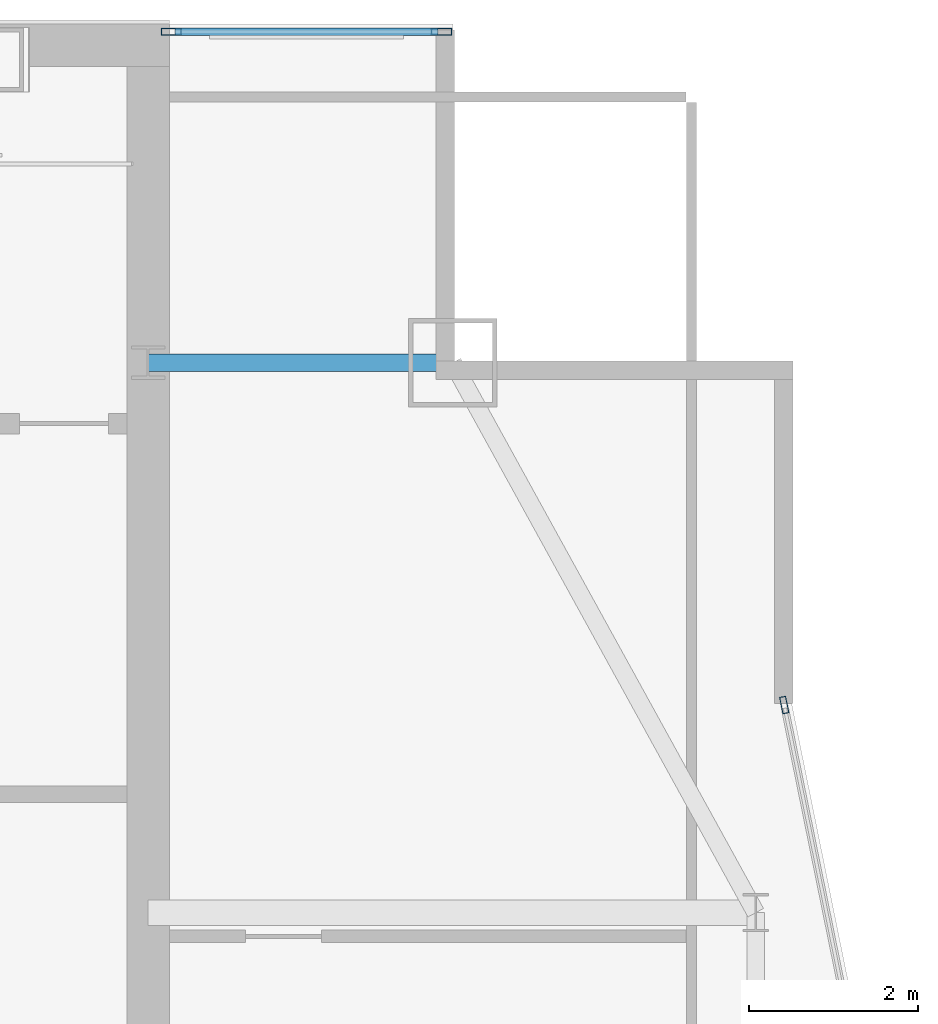
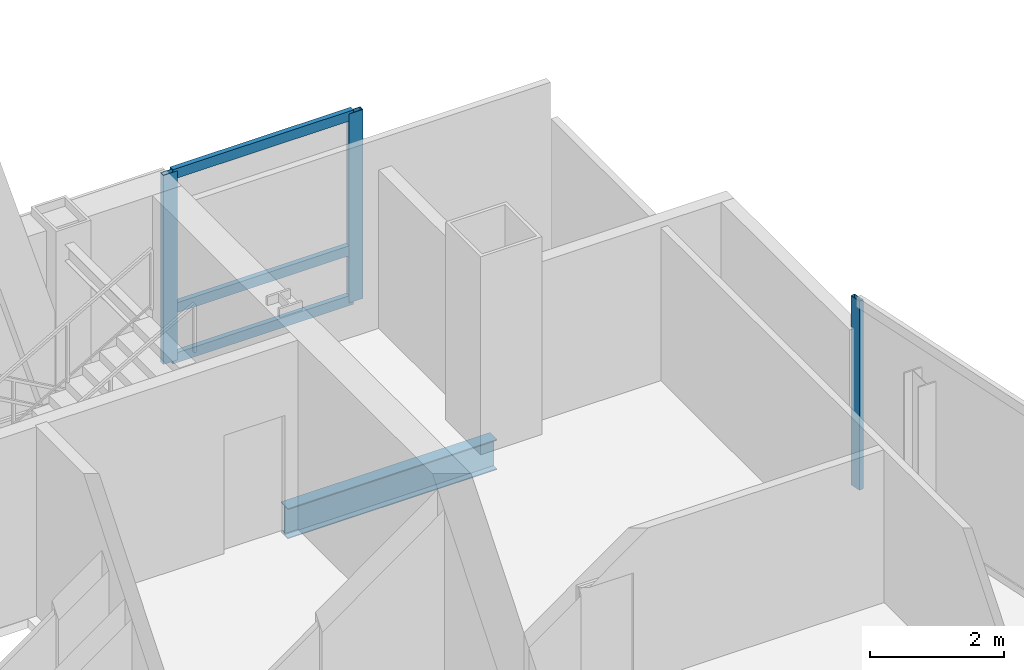
# One storey, part 24 of 31: 6 members, 1 beam, 2 elements without a shape of their own.
"""IFC4 building model written with IfcOpenShell, lengths in metres."""

from ifc_helpers import new_model, si_unit, direction, frame, origin, origin_2d, place, context, subcontext, project, spatial, hollow_rectangle, i_section, extrude, material, material_profile, profile_set, type_object, element, aggregate, save


model = new_model("IFC4")

# Units and contexts
model_context = context("Model", 3, precision=1e-05, world=origin(), true_north=direction((0.0, 1.0)))
body_context = subcontext(model_context, "Body", "Model", "MODEL_VIEW")
ifc_project = project(units=[si_unit("LENGTHUNIT", "METRE"), si_unit("AREAUNIT", "SQUARE_METRE"), si_unit("VOLUMEUNIT", "CUBIC_METRE"), si_unit("PLANEANGLEUNIT", "RADIAN"), si_unit("MASSUNIT", "GRAM", prefix="KILO")], contexts=[model_context])

# Site, building, storey
site_placement = place(None, origin())
site = spatial("IfcSite", under=ifc_project, at=site_placement, CompositionType="ELEMENT")
building_placement = place(site_placement, origin())
building = spatial("IfcBuilding", under=site, at=building_placement, Name="Khoronbel Lancet Exchange", CompositionType="ELEMENT")
storey_placement = place(building_placement, frame((0.0, 0.0, 273.39990234375)))
storey = spatial("IfcBuildingStorey", under=building, at=storey_placement, Name="L70", CompositionType="ELEMENT", Elevation=273.39990234375)

# Beam
ifc_material_1 = material(Name="Steel S355", Category="steel")
ifc_material_profile_1 = material_profile(ifc_material_1, i_section(OverallWidth=0.2099609375, OverallDepth=0.550048828125, WebThickness=0.010986328125, FlangeThickness=0.01708984375, at=origin_2d()), Name="IPE 550")
ifc_profile_set_1 = profile_set([ifc_material_profile_1], Name="Steel S355")
beam_type = type_object("IfcBeamType", Name="BM-BSP3", PredefinedType="SPANDREL", material=ifc_profile_set_1)
beam_placement = place(storey_placement, frame((60.050048828125, 49.699951171875, -0.434814453125), z_axis=(-1.0, 0.0, 0.0), x_axis=(0.0, -1.0, 0.0)))
element("IfcBeam", 1, at=beam_placement, inside=storey, type_object=beam_type, Name="Level L70 north flank tie spandrel SP23", PredefinedType="SPANDREL", context=body_context, shape_type="SweptSolid", body=[
    extrude(i_section(OverallWidth=0.2099609375, OverallDepth=0.550048828125, WebThickness=0.010986328125, FlangeThickness=0.01708984375, at=origin_2d()), origin(), (0.0, 0.0, 1.0), 3.60009765625),
])

# Curtain wall, members
ifc_material_2 = material(Name="Low-E Solar Control Insulating Glass", Category="glass")
curtain_wall_type_1 = type_object("IfcCurtainWallType", Name="CW-3", PredefinedType="NOTDEFINED", material=ifc_material_2)
curtain_wall_1_placement = place(storey_placement, origin())
curtain_wall_1 = element("IfcCurtainWall", 2, at=curtain_wall_1_placement, inside=storey, type_object=curtain_wall_type_1, Name="Unitised curtain wall CW-L70-NEFLK", PredefinedType="NOTDEFINED")
ifc_material_3 = material(Name="Bronze-Anodised Aluminium 6063-T6", Category="aluminium")
ifc_material_profile_2 = material_profile(ifc_material_3, hollow_rectangle(XDim=0.0849609375, YDim=0.239990234375, WallThickness=0.006103515625, at=origin_2d()), Name="ALU MULLION 85x240")
ifc_profile_set_2 = profile_set([ifc_material_profile_2], Name="Bronze-Anodised Aluminium 6063-T6")
member_type_1 = type_object("IfcMemberType", Name="MEM-CWM1", PredefinedType="MULLION", material=ifc_profile_set_2)
member_1_placement = place(storey_placement, frame((59.91748046875, 53.610107421875, 0.0), z_axis=(0.0, 0.0, 1.0), x_axis=(0.0, -1.0, 0.0)))
member_1 = element("IfcMember", 3, at=member_1_placement, type_object=member_type_1, Name="CW3 mullion 1", PredefinedType="MULLION", context=body_context, shape_type="SweptSolid", body=[
    extrude(hollow_rectangle(XDim=0.0849609375, YDim=0.239990234375, WallThickness=0.006103515625, at=origin_2d()), origin(), (0.0, 0.0, 1.0), 3.440185546875),
])
member_2_placement = place(storey_placement, frame((56.722412109375, 53.610107421875, 0.0), z_axis=(0.0, 0.0, 1.0), x_axis=(0.0, -1.0, 0.0)))
member_2 = element("IfcMember", 4, at=member_2_placement, type_object=member_type_1, Name="CW3 mullion 2", PredefinedType="MULLION", context=body_context, shape_type="SweptSolid", body=[
    extrude(hollow_rectangle(XDim=0.0849609375, YDim=0.239990234375, WallThickness=0.006103515625, at=origin_2d()), origin(), (0.0, 0.0, 1.0), 3.440185546875),
])

# Curtain wall, member
curtain_wall_type_2 = type_object("IfcCurtainWallType", Name="CW-4", PredefinedType="NOTDEFINED", material=ifc_material_2)
curtain_wall_2_placement = place(storey_placement, origin())
curtain_wall_2 = element("IfcCurtainWall", 5, at=curtain_wall_2_placement, inside=storey, type_object=curtain_wall_type_2, Name="Unitised curtain wall CW-L70-E17", PredefinedType="NOTDEFINED")
ifc_material_profile_3 = material_profile(ifc_material_3, hollow_rectangle(XDim=0.074951171875, YDim=0.199951171875, WallThickness=0.0048828125, at=origin_2d()), Name="ALU MULLION 75x200")
ifc_profile_set_3 = profile_set([ifc_material_profile_3], Name="Bronze-Anodised Aluminium 6063-T6")
member_type_2 = type_object("IfcMemberType", Name="MEM-CWM2", PredefinedType="MULLION", material=ifc_profile_set_3)
member_3_placement = place(storey_placement, frame((63.967529296875, 45.654052734375, 0.0), z_axis=(0.0, 0.0, 1.0), x_axis=(0.979973815588, 0.199126393935, 0.0)))
member_3 = element("IfcMember", 6, at=member_3_placement, type_object=member_type_2, Name="CW4 mullion 1", PredefinedType="MULLION", context=body_context, shape_type="SweptSolid", body=[
    extrude(hollow_rectangle(XDim=0.074951171875, YDim=0.199951171875, WallThickness=0.0048828125, at=origin_2d()), origin(), (0.0, 0.0, 1.0), 3.440185546875),
])
aggregate(curtain_wall_2, [member_3])

# Member
ifc_material_profile_4 = material_profile(ifc_material_3, hollow_rectangle(XDim=0.0849609375, YDim=0.179931640625, WallThickness=0.0048828125, at=origin_2d()), Name="ALU TRANSOM 85x180")
ifc_profile_set_4 = profile_set([ifc_material_profile_4], Name="Bronze-Anodised Aluminium 6063-T6")
member_type_3 = type_object("IfcMemberType", Name="MEM-CWT1", PredefinedType="USERDEFINED", material=ifc_profile_set_4)
member_4_placement = place(storey_placement, frame((59.875, 53.610107421875, 0.04248046875), z_axis=(-1.0, 0.0, 0.0), x_axis=(0.0, -1.0, 0.0)))
member_4 = element("IfcMember", 7, at=member_4_placement, type_object=member_type_3, Name="CW3 transom 1.1", ObjectType="TRANSOM", PredefinedType="USERDEFINED", context=body_context, shape_type="SweptSolid", body=[
    extrude(hollow_rectangle(XDim=0.0849609375, YDim=0.179931640625, WallThickness=0.0048828125, at=origin_2d()), origin(), (0.0, 0.0, 1.0), 3.110107421875),
])

member_5_placement = place(storey_placement, frame((59.875, 53.610107421875, 0.9501953125), z_axis=(-1.0, 0.0, 0.0), x_axis=(0.0, -1.0, 0.0)))
member_5 = element("IfcMember", 8, at=member_5_placement, type_object=member_type_3, Name="CW3 transom 1.2", ObjectType="TRANSOM", PredefinedType="USERDEFINED", context=body_context, shape_type="SweptSolid", body=[
    extrude(hollow_rectangle(XDim=0.0849609375, YDim=0.179931640625, WallThickness=0.0048828125, at=origin_2d()), origin(), (0.0, 0.0, 1.0), 3.110107421875),
])

member_6_placement = place(storey_placement, frame((59.875, 53.610107421875, 3.397705078125), z_axis=(-1.0, 0.0, 0.0), x_axis=(0.0, -1.0, 0.0)))
member_6 = element("IfcMember", 9, at=member_6_placement, type_object=member_type_3, Name="CW3 transom 1.3", ObjectType="TRANSOM", PredefinedType="USERDEFINED", context=body_context, shape_type="SweptSolid", body=[
    extrude(hollow_rectangle(XDim=0.0849609375, YDim=0.179931640625, WallThickness=0.0048828125, at=origin_2d()), origin(), (0.0, 0.0, 1.0), 3.110107421875),
])

aggregate(curtain_wall_1, [member_1, member_2, member_4, member_5, member_6])

save(model, "model.ifc")
